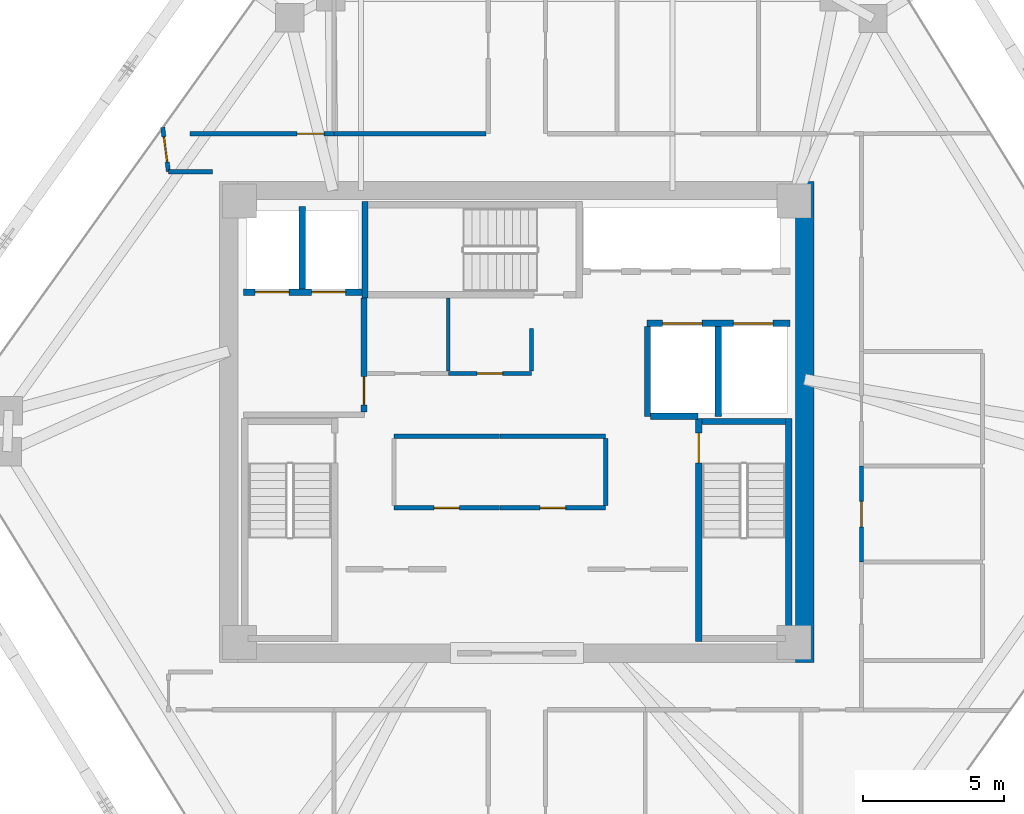
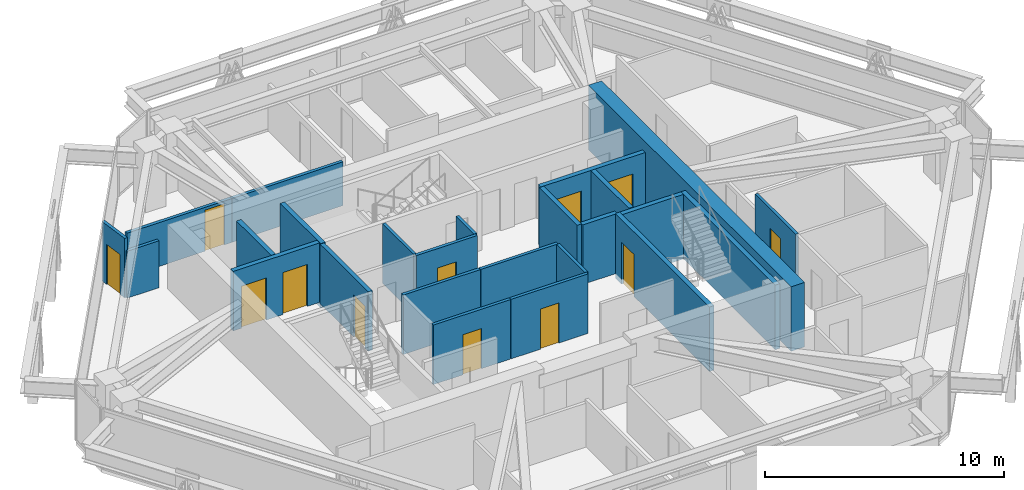
# One storey, part 11 of 14: 25 walls, 12 doors, 12 openings.
"""IFC4 building model written with IfcOpenShell, lengths in metres."""

from ifc_helpers import new_model, si_unit, direction, frame, frame_2d, origin, place, context, subcontext, project, spatial, rectangle, extrude, source, transform, mapped, material, layer, layer_set, type_object, type_shapes, element, fill, save


model = new_model("IFC4")

# Units and contexts
model_context = context("Model", 3, precision=1e-05, world=origin(), true_north=direction((0.0, 1.0)))
body_context = subcontext(model_context, "Body", "Model", "MODEL_VIEW")
ifc_project = project(units=[si_unit("LENGTHUNIT", "METRE"), si_unit("AREAUNIT", "SQUARE_METRE"), si_unit("VOLUMEUNIT", "CUBIC_METRE"), si_unit("PLANEANGLEUNIT", "RADIAN"), si_unit("MASSUNIT", "GRAM", prefix="KILO")], contexts=[model_context])

# Site, building, storey
site_placement = place(None, origin())
site = spatial("IfcSite", under=ifc_project, at=site_placement, CompositionType="ELEMENT")
building_placement = place(site_placement, origin())
building = spatial("IfcBuilding", under=site, at=building_placement, Name="Durnholm Broadcast Tower", CompositionType="ELEMENT")
storey_placement = place(building_placement, frame((0.0, 0.0, 173.800048828125)))
storey = spatial("IfcBuildingStorey", under=building, at=storey_placement, Name="L47", CompositionType="ELEMENT", Elevation=173.800048828125)

# Wall
ifc_material_1 = material(Name="Concrete C70/85", Category="concrete")
ifc_layer_1 = layer(ifc_material_1, 0.64990234375)
ifc_layer_set_1 = layer_set([ifc_layer_1], Name="Concrete C70/85")
wall_type_1 = type_object("IfcWallType", Name="WALL-CW-650", PredefinedType="SHEAR", material=ifc_layer_set_1)
wall_1_placement = place(storey_placement, frame((10.175048828125, -8.5, 0.0), z_axis=(0.0, 0.0, 1.0), x_axis=(0.0, 1.0, 0.0)))
element("IfcWall", 1, at=wall_1_placement, inside=storey, type_object=wall_type_1, Name="L47 central core shear wall CW-EAST", PredefinedType="SHEAR", context=body_context, shape_type="SweptSolid", body=[
    extrude(rectangle(XDim=17.0, YDim=0.64990234375, at=frame_2d((8.5, 0.0))), origin(), (0.0, 0.0, 1.0), 3.300048828125),
])

# Wall, opening, door
ifc_material_2 = material(Name="Fire-Rated Gypsum Shaftwall", Category="concrete")
ifc_layer_2 = layer(ifc_material_2, 0.199951171875)
ifc_layer_set_2 = layer_set([ifc_layer_2], Name="Fire-Rated Gypsum Shaftwall")
wall_type_2 = type_object("IfcWallType", Name="WALL-LOB-200", PredefinedType="SOLIDWALL", material=ifc_layer_set_2)
wall_2_placement = place(storey_placement, frame((-5.39990234375, 0.35400390625, 0.0), z_axis=(0.0, 0.0, 1.0), x_axis=(0.0, 1.0, 0.0)))
wall_2 = element("IfcWall", 2, at=wall_2_placement, inside=storey, type_object=wall_type_2, Name="L47 Fire Service Access Elevator lobby east fire wall", PredefinedType="SOLIDWALL", context=body_context, shape_type="SweptSolid", body=[
    extrude(rectangle(XDim=4.02587890625, YDim=0.199951171875, at=frame_2d((2.012939453125, 0.0))), origin(), (0.0, 0.0, 1.0), 3.044921875),
])
opening_1_placement = place(wall_2_placement, frame((0.24609375, 0.0, 0.0)))
opening_1 = element("IfcOpeningElement", 3, at=opening_1_placement, cuts=wall_2, Name="Opening DL-60R", PredefinedType="OPENING", context=body_context, shape_type="SweptSolid", body=[
    extrude(rectangle(XDim=1.0, YDim=2.14990234375, at=frame_2d((0.5, 1.074951171875))), frame((0.0, 0.10986328125, 0.0), z_axis=(0.0, -1.0, 0.0), x_axis=(1.0, 0.0, 0.0)), (0.0, 0.0, 1.0), 0.219970703125),
])
ifc_material_3 = material(Name="Fire-Rated Timber/Steel Door", Category="steel")
ifc_layer_3 = layer(ifc_material_3, 0.050048828125)
ifc_layer_set_3 = layer_set([ifc_layer_3], Name="Fire-Rated Timber/Steel Door")
door_type_1 = type_object("IfcDoorType", Name="DOOR-LOB-FD60-R", OperationType="NOTDEFINED", PredefinedType="DOOR", material=ifc_layer_set_3)
shared_shape_1 = source(origin(), body_context, "Body", "SweptSolid", [
    extrude(rectangle(XDim=1.0, YDim=2.14990234375, at=frame_2d((0.5, 1.074951171875))), frame((0.0, 0.02490234375, 0.0), z_axis=(0.0, -1.0, 0.0), x_axis=(1.0, 0.0, 0.0)), (0.0, 0.0, 1.0), 0.050048828125),
])
type_shapes(door_type_1, [shared_shape_1])
door_1_placement = place(opening_1_placement, origin())
door_1 = element("IfcDoor", 4, at=door_1_placement, inside=storey, type_object=door_type_1, Name="L47 Fire Service Access Elevator lobby smoke door", OperationType="SINGLE_SWING_RIGHT", OverallHeight=2.14990234375, OverallWidth=1.0, PredefinedType="DOOR", context=body_context, shape_type="MappedRepresentation", body=[
    mapped(shared_shape_1, transform((0.0, 0.0, 0.0), x_axis=(1.0, 0.0, 0.0), y_axis=(0.0, 1.0, 0.0), z_axis=(0.0, 0.0, 1.0), scale=1.0)),
])
fill(opening_1, door_1)

# Wall
ifc_material_4 = material(Name="Gypsum Metal Stud Partition", Category="concrete")
ifc_layer_4 = layer(ifc_material_4, 0.135009765625)
ifc_layer_set_4 = layer_set([ifc_layer_4], Name="Gypsum Metal Stud Partition")
wall_type_3 = type_object("IfcWallType", Name="WALL-PART-135", PredefinedType="PARTITIONING", material=ifc_layer_set_4)
wall_3_placement = place(storey_placement, frame((-2.419921875, 4.375, 0.0), z_axis=(0.0, 0.0, 1.0), x_axis=(0.0, -1.0, 0.0)))
element("IfcWall", 5, at=wall_3_placement, inside=storey, type_object=wall_type_3, Name="L47 room dividing partition 5.6", PredefinedType="PARTITIONING", context=body_context, shape_type="SweptSolid", body=[
    extrude(rectangle(XDim=2.5859375, YDim=0.135009765625, at=frame_2d((1.29296875, 0.0))), origin(), (0.0, 0.0, 1.0), 3.044921875),
])

# Wall, opening, door
ifc_material_5 = material(Name="Acoustic Gypsum Stud Partition", Category="concrete")
ifc_layer_5 = layer(ifc_material_5, 0.14990234375)
ifc_layer_set_5 = layer_set([ifc_layer_5], Name="Acoustic Gypsum Stud Partition")
wall_type_4 = type_object("IfcWallType", Name="WALL-PART-150", PredefinedType="PARTITIONING", material=ifc_layer_set_5)
wall_4_placement = place(storey_placement, frame((-0.610107421875, -3.0400390625, 0.0), z_axis=(0.0, 0.0, 1.0), x_axis=(-1.0, 0.0, 0.0)))
wall_4 = element("IfcWall", 6, at=wall_4_placement, inside=storey, type_object=wall_type_4, Name="L47 Digital Tape Archive Store corridor partition", PredefinedType="PARTITIONING", context=body_context, shape_type="SweptSolid", body=[
    extrude(rectangle(XDim=3.72998046875, YDim=0.14990234375, at=frame_2d((1.864990234375, 0.0))), origin(), (0.0, 0.0, 1.0), 3.044921875),
])
opening_2_placement = place(wall_4_placement, frame((1.4150390625, 0.0, 0.0)))
opening_2 = element("IfcOpeningElement", 7, at=opening_2_placement, cuts=wall_4, Name="Opening DC-60R", PredefinedType="OPENING", context=body_context, shape_type="SweptSolid", body=[
    extrude(rectangle(XDim=0.89990234375, YDim=2.050048828125, at=frame_2d((0.449951171875, 1.02490234375))), frame((0.0, 0.0849609375, 0.0), z_axis=(0.0, -1.0, 0.0), x_axis=(1.0, 0.0, 0.0)), (0.0, 0.0, 1.0), 0.169921875),
])
ifc_material_6 = material(Name="Fire-Rated Core Service Door", Category="steel")
ifc_layer_6 = layer(ifc_material_6, 0.050048828125)
ifc_layer_set_6 = layer_set([ifc_layer_6], Name="Fire-Rated Core Service Door")
door_type_2 = type_object("IfcDoorType", Name="DOOR-CORE-FD60-R", OperationType="NOTDEFINED", PredefinedType="DOOR", material=ifc_layer_set_6)
shared_shape_2 = source(origin(), body_context, "Body", "SweptSolid", [
    extrude(rectangle(XDim=0.89990234375, YDim=2.050048828125, at=frame_2d((0.449951171875, 1.02490234375))), frame((0.0, 0.02490234375, 0.0), z_axis=(0.0, -1.0, 0.0), x_axis=(1.0, 0.0, 0.0)), (0.0, 0.0, 1.0), 0.050048828125),
])
type_shapes(door_type_2, [shared_shape_2])
door_2_placement = place(opening_2_placement, origin())
door_2 = element("IfcDoor", 8, at=door_2_placement, inside=storey, type_object=door_type_2, Name="L47 Digital Tape Archive Store entrance door", OperationType="SINGLE_SWING_RIGHT", OverallHeight=2.050048828125, OverallWidth=0.89990234375, PredefinedType="DOOR", context=body_context, shape_type="MappedRepresentation", body=[
    mapped(shared_shape_2, transform((0.0, 0.0, 0.0), x_axis=(1.0, 0.0, 0.0), y_axis=(0.0, 1.0, 0.0), z_axis=(0.0, 0.0, 1.0), scale=1.0)),
])
fill(opening_2, door_2)

# Wall
wall_5_placement = place(storey_placement, frame((-4.340087890625, -0.510009765625, 0.0), z_axis=(0.0, 0.0, 1.0), x_axis=(1.0, 0.0, 0.0)))
element("IfcWall", 9, at=wall_5_placement, inside=storey, type_object=wall_type_4, Name="L47 Digital Tape Archive Store corridor partition", PredefinedType="PARTITIONING", context=body_context, shape_type="SweptSolid", body=[
    extrude(rectangle(XDim=3.72998046875, YDim=0.14990234375, at=frame_2d((1.864990234375, 0.0))), origin(), (0.0, 0.0, 1.0), 3.044921875),
])

# Wall, opening, door
wall_6_placement = place(storey_placement, frame((3.139892578125, -3.0400390625, 0.0), z_axis=(0.0, 0.0, 1.0), x_axis=(-1.0, 0.0, 0.0)))
wall_6 = element("IfcWall", 10, at=wall_6_placement, inside=storey, type_object=wall_type_4, Name="L47 High-Rise Refreshment Pantry corridor partition", PredefinedType="PARTITIONING", context=body_context, shape_type="SweptSolid", body=[
    extrude(rectangle(XDim=3.72998046875, YDim=0.14990234375, at=frame_2d((1.864990234375, 0.0))), origin(), (0.0, 0.0, 1.0), 3.044921875),
])
opening_3_placement = place(wall_6_placement, frame((1.4150390625, 0.0, 0.0)))
opening_3 = element("IfcOpeningElement", 11, at=opening_3_placement, cuts=wall_6, Name="Opening DC-60L", PredefinedType="OPENING", context=body_context, shape_type="SweptSolid", body=[
    extrude(rectangle(XDim=0.89990234375, YDim=2.050048828125, at=frame_2d((0.449951171875, 1.02490234375))), frame((0.0, 0.0849609375, 0.0), z_axis=(0.0, -1.0, 0.0), x_axis=(1.0, 0.0, 0.0)), (0.0, 0.0, 1.0), 0.169921875),
])
ifc_layer_7 = layer(ifc_material_6, 0.050048828125)
ifc_layer_set_7 = layer_set([ifc_layer_7], Name="Fire-Rated Core Service Door")
door_type_3 = type_object("IfcDoorType", Name="DOOR-CORE-FD60-L", OperationType="NOTDEFINED", PredefinedType="DOOR", material=ifc_layer_set_7)
shared_shape_3 = source(origin(), body_context, "Body", "SweptSolid", [
    extrude(rectangle(XDim=0.89990234375, YDim=2.050048828125, at=frame_2d((0.449951171875, 1.02490234375))), frame((0.0, 0.02490234375, 0.0), z_axis=(0.0, -1.0, 0.0), x_axis=(1.0, 0.0, 0.0)), (0.0, 0.0, 1.0), 0.050048828125),
])
type_shapes(door_type_3, [shared_shape_3])
door_3_placement = place(opening_3_placement, origin())
door_3 = element("IfcDoor", 12, at=door_3_placement, inside=storey, type_object=door_type_3, Name="L47 High-Rise Refreshment Pantry entrance door", OperationType="SINGLE_SWING_LEFT", OverallHeight=2.050048828125, OverallWidth=0.89990234375, PredefinedType="DOOR", context=body_context, shape_type="MappedRepresentation", body=[
    mapped(shared_shape_3, transform((0.0, 0.0, 0.0), x_axis=(1.0, 0.0, 0.0), y_axis=(0.0, 1.0, 0.0), z_axis=(0.0, 0.0, 1.0), scale=1.0)),
])
fill(opening_3, door_3)

# Walls
wall_7_placement = place(storey_placement, frame((-0.590087890625, -0.510009765625, 0.0), z_axis=(0.0, 0.0, 1.0), x_axis=(1.0, 0.0, 0.0)))
element("IfcWall", 13, at=wall_7_placement, inside=storey, type_object=wall_type_4, Name="L47 High-Rise Refreshment Pantry corridor partition", PredefinedType="PARTITIONING", context=body_context, shape_type="SweptSolid", body=[
    extrude(rectangle(XDim=3.72998046875, YDim=0.14990234375, at=frame_2d((1.864990234375, 0.0))), origin(), (0.0, 0.0, 1.0), 3.044921875),
])
wall_8_placement = place(storey_placement, frame((3.139892578125, -0.589111328125, 0.0), z_axis=(0.0, 0.0, 1.0), x_axis=(0.0, -1.0, 0.0)))
element("IfcWall", 14, at=wall_8_placement, inside=storey, type_object=wall_type_4, Name="L47 High-Rise Refreshment Pantry corridor partition", PredefinedType="PARTITIONING", context=body_context, shape_type="SweptSolid", body=[
    extrude(rectangle(XDim=2.371826171875, YDim=0.14990234375, at=frame_2d((1.18603515625, 0.0))), origin(), (0.0, 0.0, 1.0), 3.044921875),
])

# Wall, opening, door
wall_9_placement = place(storey_placement, frame((0.52001953125, 1.7099609375, 0.0), z_axis=(0.0, 0.0, 1.0), x_axis=(-1.0, 0.0, 0.0)))
wall_9 = element("IfcWall", 15, at=wall_9_placement, inside=storey, type_object=wall_type_4, Name="L47 Core Mail and Supply Room corridor partition", PredefinedType="PARTITIONING", context=body_context, shape_type="SweptSolid", body=[
    extrude(rectangle(XDim=2.93994140625, YDim=0.14990234375, at=frame_2d((1.469970703125, 0.0))), origin(), (0.0, 0.0, 1.0), 3.044921875),
])
opening_4_placement = place(wall_9_placement, frame((1.02001953125, 0.0, 0.0)))
opening_4 = element("IfcOpeningElement", 16, at=opening_4_placement, cuts=wall_9, Name="Opening DC-60L", PredefinedType="OPENING", context=body_context, shape_type="SweptSolid", body=[
    extrude(rectangle(XDim=0.89990234375, YDim=2.050048828125, at=frame_2d((0.449951171875, 1.02490234375))), frame((0.0, 0.0849609375, 0.0), z_axis=(0.0, -1.0, 0.0), x_axis=(1.0, 0.0, 0.0)), (0.0, 0.0, 1.0), 0.169921875),
])
door_4_placement = place(opening_4_placement, origin())
door_4 = element("IfcDoor", 17, at=door_4_placement, inside=storey, type_object=door_type_3, Name="L47 Core Mail and Supply Room entrance door", OperationType="SINGLE_SWING_LEFT", OverallHeight=2.050048828125, OverallWidth=0.89990234375, PredefinedType="DOOR", context=body_context, shape_type="MappedRepresentation", body=[
    mapped(shared_shape_3, transform((0.0, 0.0, 0.0), x_axis=(1.0, 0.0, 0.0), y_axis=(0.0, 1.0, 0.0), z_axis=(0.0, 0.0, 1.0), scale=1.0)),
])
fill(opening_4, door_4)

# Wall
wall_10_placement = place(storey_placement, frame((0.52001953125, 3.300048828125, 0.0), z_axis=(0.0, 0.0, 1.0), x_axis=(0.0, -1.0, 0.0)))
element("IfcWall", 18, at=wall_10_placement, inside=storey, type_object=wall_type_4, Name="L47 Core Mail and Supply Room corridor partition", PredefinedType="PARTITIONING", context=body_context, shape_type="SweptSolid", body=[
    extrude(rectangle(XDim=1.510986328125, YDim=0.14990234375, at=frame_2d((0.75537109375, 0.0))), origin(), (0.0, 0.0, 1.0), 3.044921875),
])

# Wall, opening, door
wall_11_placement = place(storey_placement, frame((-6.4599609375, 10.179931640625, 0.0), z_axis=(0.0, 0.0, 1.0), x_axis=(-1.0, 0.0, 0.0)))
wall_11 = element("IfcWall", 19, at=wall_11_placement, inside=storey, type_object=wall_type_4, Name="L47 Documentary Office 1 corridor partition", PredefinedType="PARTITIONING", context=body_context, shape_type="SweptSolid", body=[
    extrude(rectangle(XDim=5.080078125, YDim=0.14990234375, at=frame_2d((2.5400390625, 0.0))), origin(), (0.0, 0.0, 1.0), 2.24169921875),
])
opening_5_placement = place(wall_11_placement, frame((0.35009765625, 0.0, 0.0)))
opening_5 = element("IfcOpeningElement", 20, at=opening_5_placement, cuts=wall_11, Name="Opening DR-95L", PredefinedType="OPENING", context=body_context, shape_type="SweptSolid", body=[
    extrude(rectangle(XDim=0.949951171875, YDim=2.10009765625, at=frame_2d((0.47509765625, 1.050048828125))), frame((0.0, 0.0849609375, 0.0), z_axis=(0.0, -1.0, 0.0), x_axis=(1.0, 0.0, 0.0)), (0.0, 0.0, 1.0), 0.169921875),
])
ifc_material_7 = material(Name="Acoustic Oak Veneer Timber Door", Category="wood")
ifc_layer_8 = layer(ifc_material_7, 0.050048828125)
ifc_layer_set_8 = layer_set([ifc_layer_8], Name="Acoustic Oak Veneer Timber Door")
door_type_4 = type_object("IfcDoorType", Name="DOOR-RM-950L", OperationType="NOTDEFINED", PredefinedType="DOOR", material=ifc_layer_set_8)
shared_shape_4 = source(origin(), body_context, "Body", "SweptSolid", [
    extrude(rectangle(XDim=0.949951171875, YDim=2.10009765625, at=frame_2d((0.47509765625, 1.050048828125))), frame((0.0, 0.02490234375, 0.0), z_axis=(0.0, -1.0, 0.0), x_axis=(1.0, 0.0, 0.0)), (0.0, 0.0, 1.0), 0.050048828125),
])
type_shapes(door_type_4, [shared_shape_4])
door_5_placement = place(opening_5_placement, origin())
door_5 = element("IfcDoor", 21, at=door_5_placement, inside=storey, type_object=door_type_4, Name="L47 Documentary Office 1 entrance door", OperationType="SINGLE_SWING_LEFT", OverallHeight=2.10009765625, OverallWidth=0.949951171875, PredefinedType="DOOR", context=body_context, shape_type="MappedRepresentation", body=[
    mapped(shared_shape_4, transform((0.0, 0.0, 0.0), x_axis=(1.0, 0.0, 0.0), y_axis=(0.0, 1.0, 0.0), z_axis=(0.0, 0.0, 1.0), scale=1.0)),
])
fill(opening_5, door_5)

# Walls
wall_12_placement = place(storey_placement, frame((-1.089111328125, 10.179931640625, 0.0), z_axis=(0.0, 0.0, 1.0), x_axis=(-1.0, 0.0, 0.0)))
element("IfcWall", 22, at=wall_12_placement, inside=storey, type_object=wall_type_4, Name="L47 Rough-Cut Office 1 corridor partition", PredefinedType="PARTITIONING", context=body_context, shape_type="SweptSolid", body=[
    extrude(rectangle(XDim=5.370849609375, YDim=0.14990234375, at=frame_2d((2.685546875, 0.0))), origin(), (0.0, 0.0, 1.0), 2.24169921875),
])
wall_13_placement = place(storey_placement, frame((-12.31005859375, 8.840087890625, 0.0), z_axis=(0.0, 0.0, 1.0), x_axis=(1.0, 0.0, 0.0)))
element("IfcWall", 23, at=wall_13_placement, inside=storey, type_object=wall_type_4, Name="L47 Rough-Cut Office 2 corridor partition", PredefinedType="PARTITIONING", context=body_context, shape_type="SweptSolid", body=[
    extrude(rectangle(XDim=1.550048828125, YDim=0.14990234375, at=frame_2d((0.77490234375, 0.0))), origin(), (0.0, 0.0, 1.0), 2.398681640625),
])

# Wall, opening, door
wall_14_placement = place(storey_placement, frame((-12.514404296875, 10.40625, 0.0), z_axis=(0.0, 0.0, 1.0), x_axis=(0.129378833178, -0.991595238757, 0.0)))
wall_14 = element("IfcWall", 24, at=wall_14_placement, inside=storey, type_object=wall_type_4, Name="L47 Rough-Cut Office 2 corridor partition", PredefinedType="PARTITIONING", context=body_context, shape_type="SweptSolid", body=[
    extrude(rectangle(XDim=1.579345703125, YDim=0.14990234375, at=frame_2d((0.78955078125, 0.0))), origin(), (0.0, 0.0, 1.0), 3.044921875),
])
opening_6_placement = place(wall_14_placement, frame((0.33984375, 0.0, 0.0)))
opening_6 = element("IfcOpeningElement", 25, at=opening_6_placement, cuts=wall_14, Name="Opening DW-90L", PredefinedType="OPENING", context=body_context, shape_type="SweptSolid", body=[
    extrude(rectangle(XDim=0.89990234375, YDim=2.050048828125, at=frame_2d((0.449951171875, 1.02490234375))), frame((0.0, 0.0849609375, 0.0), z_axis=(0.0, -1.0, 0.0), x_axis=(1.0, 0.0, 0.0)), (0.0, 0.0, 1.0), 0.169921875),
])
ifc_material_8 = material(Name="Laminate Restroom Door", Category="steel")
ifc_layer_9 = layer(ifc_material_8, 0.050048828125)
ifc_layer_set_9 = layer_set([ifc_layer_9], Name="Laminate Restroom Door")
door_type_5 = type_object("IfcDoorType", Name="DOOR-WC-900L", OperationType="NOTDEFINED", PredefinedType="DOOR", material=ifc_layer_set_9)
shared_shape_5 = source(origin(), body_context, "Body", "SweptSolid", [
    extrude(rectangle(XDim=0.89990234375, YDim=2.050048828125, at=frame_2d((0.449951171875, 1.02490234375))), frame((0.0, 0.02490234375, 0.0), z_axis=(0.0, -1.0, 0.0), x_axis=(1.0, 0.0, 0.0)), (0.0, 0.0, 1.0), 0.050048828125),
])
type_shapes(door_type_5, [shared_shape_5])
door_6_placement = place(opening_6_placement, origin())
door_6 = element("IfcDoor", 26, at=door_6_placement, inside=storey, type_object=door_type_5, Name="L47 Rough-Cut Office 2 entrance door", OperationType="SINGLE_SWING_LEFT", OverallHeight=2.050048828125, OverallWidth=0.89990234375, PredefinedType="DOOR", context=body_context, shape_type="MappedRepresentation", body=[
    mapped(shared_shape_5, transform((0.0, 0.0, 0.0), x_axis=(1.0, 0.0, 0.0), y_axis=(0.0, 1.0, 0.0), z_axis=(0.0, 0.0, 1.0), scale=1.0)),
])
fill(opening_6, door_6)

# Wall, openings, doors
ifc_material_9 = material(Name="Concrete Blockwork C30/37", Category="masonry")
ifc_layer_10 = layer(ifc_material_9, 0.219970703125)
ifc_layer_set_10 = layer_set([ifc_layer_10], Name="Concrete Blockwork C30/37")
wall_type_5 = type_object("IfcWallType", Name="WALL-SHAFT-220", PredefinedType="SOLIDWALL", material=ifc_layer_set_10)
wall_15_placement = place(storey_placement, frame((-9.64990234375, 4.580078125, 0.0), z_axis=(0.0, 0.0, 1.0), x_axis=(1.0, 0.0, 0.0)))
wall_15 = element("IfcWall", 27, at=wall_15_placement, inside=storey, type_object=wall_type_5, Name="L47 FSAE hoistway front fire wall", PredefinedType="SOLIDWALL", context=body_context, shape_type="SweptSolid", body=[
    extrude(rectangle(XDim=4.1748046875, YDim=0.219970703125, at=frame_2d((2.08740234375, 0.0))), origin(), (0.0, 0.0, 1.0), 3.044921875),
])
opening_7_placement = place(wall_15_placement, frame((0.39990234375, 0.0, 0.0)))
opening_7 = element("IfcOpeningElement", 28, at=opening_7_placement, cuts=wall_15, Name="Opening LD-FSAE-2", PredefinedType="OPENING", context=body_context, shape_type="SweptSolid", body=[
    extrude(rectangle(XDim=1.199951171875, YDim=2.14990234375, at=frame_2d((0.60009765625, 1.074951171875))), frame((0.0, 0.1201171875, 0.0), z_axis=(0.0, -1.0, 0.0), x_axis=(1.0, 0.0, 0.0)), (0.0, 0.0, 1.0), 0.239990234375),
])
opening_8_placement = place(wall_15_placement, frame((2.39990234375, 0.0, 0.0)))
opening_8 = element("IfcOpeningElement", 29, at=opening_8_placement, cuts=wall_15, Name="Opening LD-FSAE-1", PredefinedType="OPENING", context=body_context, shape_type="SweptSolid", body=[
    extrude(rectangle(XDim=1.199951171875, YDim=2.14990234375, at=frame_2d((0.60009765625, 1.074951171875))), frame((0.0, 0.1201171875, 0.0), z_axis=(0.0, -1.0, 0.0), x_axis=(1.0, 0.0, 0.0)), (0.0, 0.0, 1.0), 0.239990234375),
])
ifc_material_10 = material(Name="Fire Service Access Sliding Landing Door", Category="steel")
ifc_layer_11 = layer(ifc_material_10, 0.050048828125)
ifc_layer_set_11 = layer_set([ifc_layer_11], Name="Fire Service Access Sliding Landing Door")
door_type_6 = type_object("IfcDoorType", Name="DOOR-LIFT-FSAE", OperationType="DOUBLE_DOOR_SLIDING", PredefinedType="DOOR", material=ifc_layer_set_11)
shared_shape_6 = source(origin(), body_context, "Body", "SweptSolid", [
    extrude(rectangle(XDim=1.199951171875, YDim=2.14990234375, at=frame_2d((0.60009765625, 1.074951171875))), frame((0.0, 0.02490234375, 0.0), z_axis=(0.0, -1.0, 0.0), x_axis=(1.0, 0.0, 0.0)), (0.0, 0.0, 1.0), 0.050048828125),
])
type_shapes(door_type_6, [shared_shape_6])
door_7_placement = place(opening_7_placement, origin())
door_7 = element("IfcDoor", 30, at=door_7_placement, inside=storey, type_object=door_type_6, Name="L47 Fire Service Access Elevator FSAE-2 sliding landing door", OperationType="DOUBLE_DOOR_SLIDING", OverallHeight=2.14990234375, OverallWidth=1.199951171875, PredefinedType="DOOR", context=body_context, shape_type="MappedRepresentation", body=[
    mapped(shared_shape_6, transform((0.0, 0.0, 0.0), x_axis=(1.0, 0.0, 0.0), y_axis=(0.0, 1.0, 0.0), z_axis=(0.0, 0.0, 1.0), scale=1.0)),
])
fill(opening_7, door_7)
door_8_placement = place(opening_8_placement, origin())
door_8 = element("IfcDoor", 31, at=door_8_placement, inside=storey, type_object=door_type_6, Name="L47 Fire Service Access Elevator FSAE-1 sliding landing door", OperationType="DOUBLE_DOOR_SLIDING", OverallHeight=2.14990234375, OverallWidth=1.199951171875, PredefinedType="DOOR", context=body_context, shape_type="MappedRepresentation", body=[
    mapped(shared_shape_6, transform((0.0, 0.0, 0.0), x_axis=(1.0, 0.0, 0.0), y_axis=(0.0, 1.0, 0.0), z_axis=(0.0, 0.0, 1.0), scale=1.0)),
])
fill(opening_8, door_8)

# Wall
wall_16_placement = place(storey_placement, frame((-7.580078125, 4.694091796875, 0.0), z_axis=(0.0, 0.0, 1.0), x_axis=(0.0, 1.0, 0.0)))
element("IfcWall", 32, at=wall_16_placement, inside=storey, type_object=wall_type_5, Name="L47 FSAE shaft divider wall", PredefinedType="SOLIDWALL", context=body_context, shape_type="SweptSolid", body=[
    extrude(rectangle(XDim=2.906005859375, YDim=0.219970703125, at=frame_2d((1.453125, 0.0))), origin(), (0.0, 0.0, 1.0), 3.044921875),
])

# Wall, openings, doors
wall_17_placement = place(storey_placement, frame((4.60009765625, 3.47998046875, 0.0), z_axis=(0.0, 0.0, 1.0), x_axis=(1.0, 0.0, 0.0)))
wall_17 = element("IfcWall", 33, at=wall_17_placement, inside=storey, type_object=wall_type_5, Name="L47 freight service lifts north front wall", PredefinedType="SOLIDWALL", context=body_context, shape_type="SweptSolid", body=[
    extrude(rectangle(XDim=5.0498046875, YDim=0.219970703125, at=frame_2d((2.52490234375, 0.0))), origin(), (0.0, 0.0, 1.0), 3.044921875),
])
opening_9_placement = place(wall_17_placement, frame((0.550048828125, 0.0, 0.0)))
opening_9 = element("IfcOpeningElement", 34, at=opening_9_placement, cuts=wall_17, Name="Opening LD-SVL-2", PredefinedType="OPENING", context=body_context, shape_type="SweptSolid", body=[
    extrude(rectangle(XDim=1.39990234375, YDim=2.14990234375, at=frame_2d((0.699951171875, 1.074951171875))), frame((0.0, 0.1201171875, 0.0), z_axis=(0.0, -1.0, 0.0), x_axis=(1.0, 0.0, 0.0)), (0.0, 0.0, 1.0), 0.239990234375),
])
opening_10_placement = place(wall_17_placement, frame((3.050048828125, 0.0, 0.0)))
opening_10 = element("IfcOpeningElement", 35, at=opening_10_placement, cuts=wall_17, Name="Opening LD-SVL-1", PredefinedType="OPENING", context=body_context, shape_type="SweptSolid", body=[
    extrude(rectangle(XDim=1.39990234375, YDim=2.14990234375, at=frame_2d((0.699951171875, 1.074951171875))), frame((0.0, 0.1201171875, 0.0), z_axis=(0.0, -1.0, 0.0), x_axis=(1.0, 0.0, 0.0)), (0.0, 0.0, 1.0), 0.239990234375),
])
ifc_material_11 = material(Name="Freight Elevator Bi-Parting Sliding Landing Door", Category="steel")
ifc_layer_12 = layer(ifc_material_11, 0.050048828125)
ifc_layer_set_12 = layer_set([ifc_layer_12], Name="Freight Elevator Bi-Parting Sliding Landing Door")
door_type_7 = type_object("IfcDoorType", Name="DOOR-LIFT-SVL", OperationType="DOUBLE_DOOR_SLIDING", PredefinedType="DOOR", material=ifc_layer_set_12)
shared_shape_7 = source(origin(), body_context, "Body", "SweptSolid", [
    extrude(rectangle(XDim=1.39990234375, YDim=2.14990234375, at=frame_2d((0.699951171875, 1.074951171875))), frame((0.0, 0.02490234375, 0.0), z_axis=(0.0, -1.0, 0.0), x_axis=(1.0, 0.0, 0.0)), (0.0, 0.0, 1.0), 0.050048828125),
])
type_shapes(door_type_7, [shared_shape_7])
door_9_placement = place(opening_9_placement, origin())
door_9 = element("IfcDoor", 36, at=door_9_placement, inside=storey, type_object=door_type_7, Name="L47 freight service elevator SVL-2 sliding landing door", OperationType="DOUBLE_DOOR_SLIDING", OverallHeight=2.14990234375, OverallWidth=1.39990234375, PredefinedType="DOOR", context=body_context, shape_type="MappedRepresentation", body=[
    mapped(shared_shape_7, transform((0.0, 0.0, 0.0), x_axis=(1.0, 0.0, 0.0), y_axis=(0.0, 1.0, 0.0), z_axis=(0.0, 0.0, 1.0), scale=1.0)),
])
fill(opening_9, door_9)
door_10_placement = place(opening_10_placement, origin())
door_10 = element("IfcDoor", 37, at=door_10_placement, inside=storey, type_object=door_type_7, Name="L47 freight service elevator SVL-1 sliding landing door", OperationType="DOUBLE_DOOR_SLIDING", OverallHeight=2.14990234375, OverallWidth=1.39990234375, PredefinedType="DOOR", context=body_context, shape_type="MappedRepresentation", body=[
    mapped(shared_shape_7, transform((0.0, 0.0, 0.0), x_axis=(1.0, 0.0, 0.0), y_axis=(0.0, 1.0, 0.0), z_axis=(0.0, 0.0, 1.0), scale=1.0)),
])
fill(opening_10, door_10)

# Walls
for number, where, z_axis, x_axis, name in (
    (38, (4.6201171875, 0.179931640625, 0.0), (0.0, 0.0, 1.0), (0.0, 1.0, 0.0), "L47 freight service lift SVL-2 west wall"),
    (39, (7.1201171875, 0.179931640625, 0.0), (0.0, 0.0, 1.0), (0.0, 1.0, 0.0), "L47 freight service lifts divider wall"),
):
    element("IfcWall", number, at=place(storey_placement, frame(where, z_axis=z_axis, x_axis=x_axis)), inside=storey, type_object=wall_type_5, Name=name, PredefinedType="SOLIDWALL", context=body_context, shape_type="SweptSolid", body=[
        extrude(rectangle(XDim=3.18603515625, YDim=0.219970703125, at=frame_2d((1.593017578125, 0.0))), origin(), (0.0, 0.0, 1.0), 3.044921875),
    ])
wall_18_placement = place(storey_placement, frame((4.73388671875, 0.199951171875, 0.0), z_axis=(0.0, 0.0, 1.0), x_axis=(1.0, 0.0, 0.0)))
element("IfcWall", 40, at=wall_18_placement, inside=storey, type_object=wall_type_5, Name="L47 freight service lift SVL-2 south wall", PredefinedType="SOLIDWALL", context=body_context, shape_type="SweptSolid", body=[
    extrude(rectangle(XDim=1.666015625, YDim=0.219970703125, at=frame_2d((0.8330078125, 0.0))), origin(), (0.0, 0.0, 1.0), 3.044921875),
])
ifc_material_12 = material(Name="Concrete C50/60", Category="concrete")
ifc_layer_13 = layer(ifc_material_12, 0.219970703125)
ifc_layer_set_13 = layer_set([ifc_layer_13], Name="Concrete C50/60")
wall_type_6 = type_object("IfcWallType", Name="WALL-SW-220", PredefinedType="SHEAR", material=ifc_layer_set_13)
wall_19_placement = place(storey_placement, frame((9.610107421875, -7.77001953125, -0.239990234375), z_axis=(0.0, 0.0, 1.0), x_axis=(0.0, 1.0, 0.0)))
element("IfcWall", 41, at=wall_19_placement, inside=storey, type_object=wall_type_6, Name="L47 stair ST-2 structural shaft wall E", PredefinedType="SHEAR", context=body_context, shape_type="SweptSolid", body=[
    extrude(rectangle(XDim=7.89013671875, YDim=0.219970703125, at=frame_2d((3.945068359375, 0.0))), origin(), (0.0, 0.0, 1.0), 3.300048828125),
])

# Wall, opening, door
wall_20_placement = place(storey_placement, frame((6.429931640625, 0.1201171875, -0.239990234375), z_axis=(0.0, 0.0, 1.0), x_axis=(0.0, -1.0, 0.0)))
wall_20 = element("IfcWall", 42, at=wall_20_placement, inside=storey, type_object=wall_type_6, Name="L47 stair ST-2 structural shaft wall W", PredefinedType="SHEAR", context=body_context, shape_type="SweptSolid", body=[
    extrude(rectangle(XDim=7.89013671875, YDim=0.219970703125, at=frame_2d((3.945068359375, 0.0))), origin(), (0.0, 0.0, 1.0), 3.300048828125),
])
opening_11_placement = place(wall_20_placement, frame((0.52001953125, 0.0, 0.0)))
opening_11 = element("IfcOpeningElement", 43, at=opening_11_placement, cuts=wall_20, Name="Opening DS-90R", PredefinedType="OPENING", context=body_context, shape_type="SweptSolid", body=[
    extrude(rectangle(XDim=1.050048828125, YDim=2.14990234375, at=frame_2d((0.52490234375, 1.074951171875))), frame((0.0, 0.1201171875, 0.0), z_axis=(0.0, -1.0, 0.0), x_axis=(1.0, 0.0, 0.0)), (0.0, 0.0, 1.0), 0.239990234375),
])
ifc_material_13 = material(Name="Fire-Rated Steel Door", Category="steel")
ifc_layer_14 = layer(ifc_material_13, 0.050048828125)
ifc_layer_set_14 = layer_set([ifc_layer_14], Name="Fire-Rated Steel Door")
door_type_8 = type_object("IfcDoorType", Name="DOOR-ST-FD90-R", OperationType="NOTDEFINED", PredefinedType="DOOR", material=ifc_layer_set_14)
shared_shape_8 = source(origin(), body_context, "Body", "SweptSolid", [
    extrude(rectangle(XDim=1.050048828125, YDim=2.14990234375, at=frame_2d((0.52490234375, 1.074951171875))), frame((0.0, 0.02490234375, 0.0), z_axis=(0.0, -1.0, 0.0), x_axis=(1.0, 0.0, 0.0)), (0.0, 0.0, 1.0), 0.050048828125),
])
type_shapes(door_type_8, [shared_shape_8])
door_11_placement = place(opening_11_placement, origin())
door_11 = element("IfcDoor", 44, at=door_11_placement, inside=storey, type_object=door_type_8, Name="L47 exit stair ST-2 fire door", OperationType="SINGLE_SWING_RIGHT", OverallHeight=2.14990234375, OverallWidth=1.050048828125, PredefinedType="DOOR", context=body_context, shape_type="MappedRepresentation", body=[
    mapped(shared_shape_8, transform((0.0, 0.0, 0.0), x_axis=(1.0, 0.0, 0.0), y_axis=(0.0, 1.0, 0.0), z_axis=(0.0, 0.0, 1.0), scale=1.0)),
])
fill(opening_11, door_11)

# Walls
wall_21_placement = place(storey_placement, frame((9.5, 0.010009765625, -0.239990234375), z_axis=(0.0, 0.0, 1.0), x_axis=(-1.0, 0.0, 0.0)))
element("IfcWall", 45, at=wall_21_placement, inside=storey, type_object=wall_type_6, Name="L47 stair ST-2 structural shaft wall N", PredefinedType="SHEAR", context=body_context, shape_type="SweptSolid", body=[
    extrude(rectangle(XDim=2.9599609375, YDim=0.219970703125, at=frame_2d((1.47998046875, 0.0))), origin(), (0.0, 0.0, 1.0), 3.300048828125),
])
wall_22_placement = place(storey_placement, frame((-5.360107421875, 7.780029296875, -0.239990234375), z_axis=(0.0, 0.0, 1.0), x_axis=(0.0, -1.0, 0.0)))
element("IfcWall", 46, at=wall_22_placement, inside=storey, type_object=wall_type_6, Name="L47 stair ST-3 structural shaft wall W", PredefinedType="SHEAR", context=body_context, shape_type="SweptSolid", body=[
    extrude(rectangle(XDim=3.400146484375, YDim=0.219970703125, at=frame_2d((1.7001953125, 0.0))), origin(), (0.0, 0.0, 1.0), 3.300048828125),
])

# Wall, opening, door
ifc_material_14 = material(Name="Moisture-Resistant Tile Partition", Category="concrete")
ifc_layer_15 = layer(ifc_material_14, 0.139892578125)
ifc_layer_set_15 = layer_set([ifc_layer_15], Name="Moisture-Resistant Tile Partition")
wall_type_7 = type_object("IfcWallType", Name="WALL-WC-140", PredefinedType="PARTITIONING", material=ifc_layer_set_15)
wall_23_placement = place(storey_placement, frame((12.179931640625, -4.9599609375, 0.0), z_axis=(0.0, 0.0, 1.0), x_axis=(0.0, 1.0, 0.0)))
wall_23 = element("IfcWall", 47, at=wall_23_placement, inside=storey, type_object=wall_type_7, Name="L47 Women's Restroom corridor partition", PredefinedType="PARTITIONING", context=body_context, shape_type="SweptSolid", body=[
    extrude(rectangle(XDim=3.39990234375, YDim=0.139892578125, at=frame_2d((1.699951171875, 0.0))), origin(), (0.0, 0.0, 1.0), 3.044921875),
])
opening_12_placement = place(wall_23_placement, frame((1.25, 0.0, 0.0)))
opening_12 = element("IfcOpeningElement", 48, at=opening_12_placement, cuts=wall_23, Name="Opening DW-90L", PredefinedType="OPENING", context=body_context, shape_type="SweptSolid", body=[
    extrude(rectangle(XDim=0.89990234375, YDim=2.050048828125, at=frame_2d((0.449951171875, 1.02490234375))), frame((0.0, 0.080078125, 0.0), z_axis=(0.0, -1.0, 0.0), x_axis=(1.0, 0.0, 0.0)), (0.0, 0.0, 1.0), 0.159912109375),
])
door_12_placement = place(opening_12_placement, origin())
door_12 = element("IfcDoor", 49, at=door_12_placement, inside=storey, type_object=door_type_5, Name="L47 Women's Restroom entrance door", OperationType="SINGLE_SWING_LEFT", OverallHeight=2.050048828125, OverallWidth=0.89990234375, PredefinedType="DOOR", context=body_context, shape_type="MappedRepresentation", body=[
    mapped(shared_shape_5, transform((0.0, 0.0, 0.0), x_axis=(1.0, 0.0, 0.0), y_axis=(0.0, 1.0, 0.0), z_axis=(0.0, 0.0, 1.0), scale=1.0)),
])
fill(opening_12, door_12)

save(model, "model.ifc")
